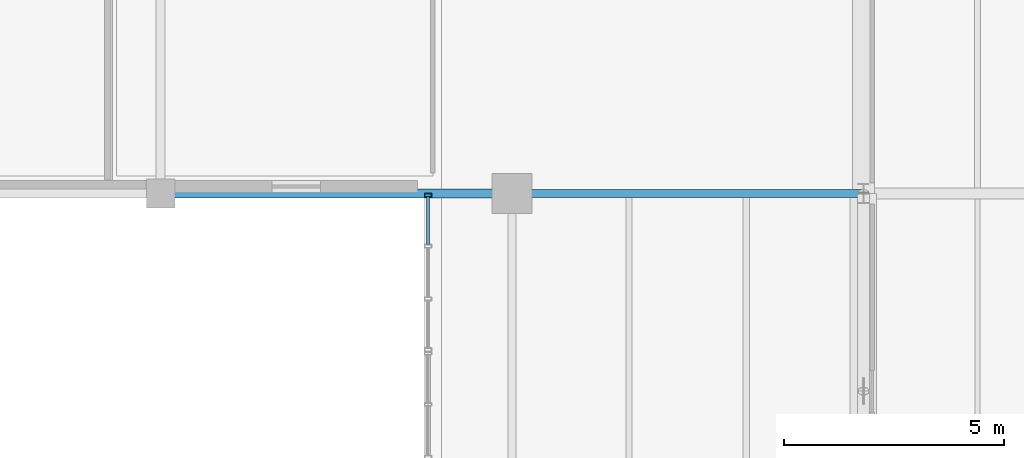
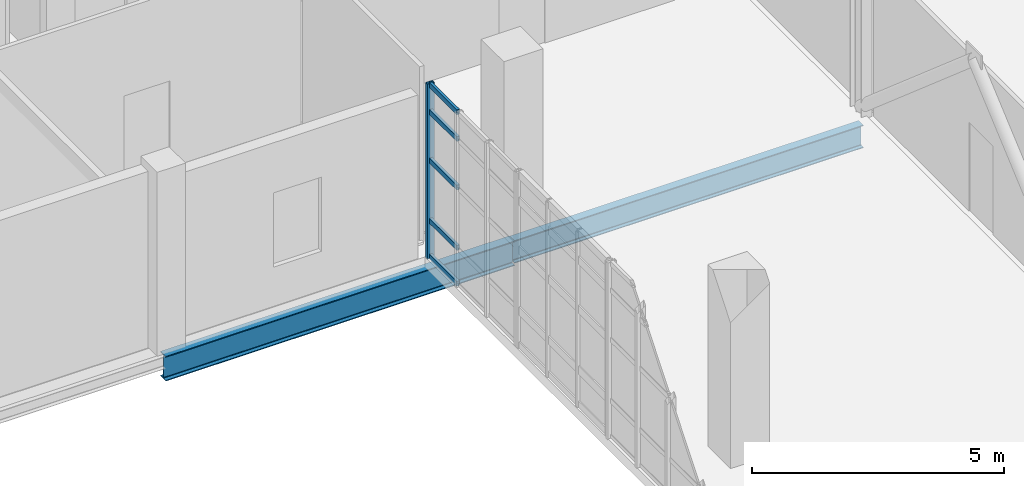
# One storey, part 12 of 38: 6 members, 2 beams, 1 element without a shape of its own.
"""IFC4 building model written with IfcOpenShell, lengths in metres."""

import ifcopenshell
import ifcopenshell.guid

model = None  # the IFC model being written
_history = None  # IfcOwnerHistory: only IFC2X3 demands one
_inside = {}  # id of a spatial element -> (the spatial element, [elements in it])
_under = {}  # id of a project, library or spatial element -> (it, [spatial elements below it])
_declared = {}  # id of a project -> (the project, [libraries it declares])
_typed = {}  # id of a type object -> (the type object, [elements of that type])
_made_of = {}  # id of a material, layer set ... -> (it, [elements and type objects made of it])


def new_model(schema):
    """Start an empty IFC model of exactly this schema.

    Asked for "IFC4X3", IfcOpenShell would pick the latest addendum, in which some entities
    have other attributes; the version numbers below select the first issue.
    IFC2X3 requires an IfcOwnerHistory on every rooted entity: one is made here for all.
    """
    global model, _history
    if schema == "IFC4X3":
        model = ifcopenshell.file(schema_version=(4, 3, 0, 0))
    else:
        model = ifcopenshell.file(schema=schema)
    _inside.clear()
    _under.clear()
    _declared.clear()
    _typed.clear()
    _made_of.clear()
    _history = None
    if model.schema == "IFC2X3":
        org = make("IfcOrganization", Name="unknown")
        user = make(
            "IfcPersonAndOrganization",
            ThePerson=make("IfcPerson", FamilyName="unknown"),
            TheOrganization=org,
        )
        app = make(
            "IfcApplication",
            ApplicationDeveloper=org,
            Version="unknown",
            ApplicationFullName="unknown",
            ApplicationIdentifier="unknown",
        )
        _history = make(
            "IfcOwnerHistory",
            OwningUser=user,
            OwningApplication=app,
            ChangeAction="ADDED",
            CreationDate=0,
        )
    return model


def make(cls, **values):
    """One entity of the class cls with the attributes given. An attribute that is None is left unset."""
    return model.create_entity(
        cls, **{name: value for name, value in values.items() if value is not None}
    )


def rooted(cls, **values):
    """An entity with a GlobalId (a new one), such as an element, a storey or a relation."""
    return make(cls, GlobalId=ifcopenshell.guid.new(), OwnerHistory=_history, **values)


def si_unit(unit_type, name, prefix=None):
    """IfcSIUnit, for example si_unit("LENGTHUNIT", "METRE", prefix="MILLI")."""
    return make("IfcSIUnit", UnitType=unit_type, Prefix=prefix, Name=name)


def derived_unit(unit_type, elements):
    """IfcDerivedUnit: a product of units, each with its exponent."""
    return make(
        "IfcDerivedUnit",
        Elements=[
            make("IfcDerivedUnitElement", Unit=unit, Exponent=power)
            for unit, power in elements
        ],
        UnitType=unit_type,
    )


def assignment(units):
    """IfcUnitAssignment: the units of a project."""
    return None if units is None else make("IfcUnitAssignment", Units=units)


def point(xyz):
    """IfcCartesianPoint."""
    return None if xyz is None else make("IfcCartesianPoint", Coordinates=xyz)


def direction(xyz):
    """IfcDirection."""
    return None if xyz is None else make("IfcDirection", DirectionRatios=xyz)


def frame(location, z_axis=None, x_axis=None):
    """IfcAxis2Placement3D, a coordinate frame: its origin and axes. An axis left out is left unset."""
    return make(
        "IfcAxis2Placement3D",
        Location=point(location),
        Axis=direction(z_axis),
        RefDirection=direction(x_axis),
    )


def frame_2d(location, x_axis=None):
    """IfcAxis2Placement2D, a coordinate frame in the plane: its origin and x axis."""
    return make(
        "IfcAxis2Placement2D", Location=point(location), RefDirection=direction(x_axis)
    )


def origin():
    """The frame at (0, 0, 0) with its axes left unset."""
    return frame((0.0, 0.0, 0.0))


def origin_2d():
    """The frame at (0, 0) in the plane with its x axis left unset."""
    return frame_2d((0.0, 0.0))


def place(relative_to, where):
    """IfcLocalPlacement: puts the frame where relative to a parent placement (None: the world)."""
    return make(
        "IfcLocalPlacement", PlacementRelTo=relative_to, RelativePlacement=where
    )


def context(
    kind, dimensions, precision=None, world=None, true_north=None, identifier=None
):
    """IfcGeometricRepresentationContext, for example the 3D "Model" context."""
    return make(
        "IfcGeometricRepresentationContext",
        ContextIdentifier=identifier,
        ContextType=kind,
        CoordinateSpaceDimension=dimensions,
        Precision=precision,
        WorldCoordinateSystem=world,
        TrueNorth=true_north,
    )


def subcontext(parent, identifier, kind, view, scale=None):
    """IfcGeometricRepresentationSubContext, for example "Body" below "Model"."""
    return make(
        "IfcGeometricRepresentationSubContext",
        ContextIdentifier=identifier,
        ContextType=kind,
        ParentContext=parent,
        TargetScale=scale,
        TargetView=view,
    )


def project(units=None, contexts=None):
    """IfcProject with its units and contexts."""
    return rooted(
        "IfcProject",
        Name="project",
        RepresentationContexts=contexts,
        UnitsInContext=assignment(units),
    )


def spatial(cls, under=None, at=None, **own):
    """A site, building, storey or space (cls), placed at a placement, below another one or the project."""
    s = rooted(cls, ObjectPlacement=at, **own)
    if under is not None:
        _under.setdefault(under.id(), (under, []))[1].append(s)
    return s


def profile(cls, at=None, kind="AREA", **sizes):
    """A parametric profile (cls). Its sizes go by their IFC names, for example OverallWidth=200.0."""
    return make(cls, ProfileType=kind, Position=at, **sizes)


def hollow_rectangle(**sizes):
    """IfcRectangleHollowProfileDef."""
    return profile("IfcRectangleHollowProfileDef", **sizes)


def i_section(**sizes):
    """IfcIShapeProfileDef."""
    return profile("IfcIShapeProfileDef", **sizes)


def extrude(swept, where, along, depth):
    """IfcExtrudedAreaSolid: the profile swept, set in the frame where, extruded along a direction by depth."""
    return make(
        "IfcExtrudedAreaSolid",
        SweptArea=swept,
        Position=where,
        ExtrudedDirection=direction(along),
        Depth=depth,
    )


def shape(context_of_items, identifier, shape_type, items):
    """IfcShapeRepresentation: the items that make up one representation, for example the "Body"."""
    return make(
        "IfcShapeRepresentation",
        ContextOfItems=context_of_items,
        RepresentationIdentifier=identifier,
        RepresentationType=shape_type,
        Items=items,
    )


def material(Name=None, Category=None):
    """IfcMaterial."""
    return make("IfcMaterial", Name=Name, Category=Category)


def layer(
    of_material, thickness, ventilated=None, Name=None, Category=None, Priority=None
):
    """IfcMaterialLayer: one layer of a wall or slab, of a material (None: an air gap)."""
    return make(
        "IfcMaterialLayer",
        Material=of_material,
        LayerThickness=thickness,
        IsVentilated=ventilated,
        Name=Name,
        Category=Category,
        Priority=Priority,
    )


def layer_set(layers, Name=None):
    """IfcMaterialLayerSet."""
    return make("IfcMaterialLayerSet", MaterialLayers=layers, LayerSetName=Name)


def material_profile(
    of_material, cross_section, Name=None, Category=None, Priority=None
):
    """IfcMaterialProfile: a cross section and its material."""
    return make(
        "IfcMaterialProfile",
        Name=Name,
        Material=of_material,
        Profile=cross_section,
        Priority=Priority,
        Category=Category,
    )


def profile_set(profiles, Name=None, composite=None):
    """IfcMaterialProfileSet."""
    return make(
        "IfcMaterialProfileSet",
        Name=Name,
        MaterialProfiles=profiles,
        CompositeProfile=composite,
    )


def made_of(thing, what):
    """Note that an element or type object is made of a material, layer set ...; save() writes the relation."""
    if what is not None:
        _made_of.setdefault(what.id(), (what, []))[1].append(thing)
    return thing


def type_object(cls, material=None, **own):
    """A type object (cls), such as IfcWallType, which elements share."""
    return made_of(rooted(cls, **own), material)


def element(
    cls,
    number,
    at=None,
    inside=None,
    cuts=None,
    type_object=None,
    material=None,
    context=None,
    identifier="Body",
    shape_type=None,
    held_by="IfcProductDefinitionShape",
    body=None,
    shapes=None,
    **own,
):
    """One element of the class cls, such as IfcWall. Its Tag is "e" and its number.

    at: its placement. inside: the storey or other place that contains it. cuts: it is an
    opening in that element (IfcRelVoidsElement). A single representation is given by context,
    identifier, shape_type and body (its items); several are given by shapes. held_by: the class
    of the entity that holds the representations. save() writes the other relations.
    """
    e = rooted(cls, Tag="e%d" % number, ObjectPlacement=at, **own)
    if body is not None:
        shapes = [shape(context, identifier, shape_type, body)]
    if shapes is not None:
        e.Representation = make(held_by, Representations=shapes)
    if inside is not None:
        _inside.setdefault(inside.id(), (inside, []))[1].append(e)
    if cuts is not None:
        rooted(
            "IfcRelVoidsElement", RelatingBuildingElement=cuts, RelatedOpeningElement=e
        )
    if type_object is not None:
        _typed.setdefault(type_object.id(), (type_object, []))[1].append(e)
    return made_of(e, material)


def aggregate(whole, parts):
    """IfcRelAggregates: a whole, such as a stair, and the parts it consists of."""
    return rooted("IfcRelAggregates", RelatingObject=whole, RelatedObjects=parts)


def save(model, path):
    """Write the relations noted so far, then the file.

    IfcRelAggregates (storeys below a building ...), IfcRelContainedInSpatialStructure (elements
    in a storey), IfcRelDefinesByType, IfcRelAssociatesMaterial and IfcRelDeclares: one each for
    every whole, place, type object, material and project.
    """
    for whole, parts in _under.values():
        aggregate(whole, parts)
    for where, things in _inside.values():
        rooted(
            "IfcRelContainedInSpatialStructure",
            RelatedElements=things,
            RelatingStructure=where,
        )
    for kind, things in _typed.values():
        rooted("IfcRelDefinesByType", RelatedObjects=things, RelatingType=kind)
    for what, things in _made_of.values():
        rooted("IfcRelAssociatesMaterial", RelatedObjects=things, RelatingMaterial=what)
    for by, libraries in _declared.values():
        rooted("IfcRelDeclares", RelatingContext=by, RelatedDefinitions=libraries)
    model.write(path)


model = new_model("IFC4")

# Units and contexts
model_context = context("Model", 3, precision=1e-05, world=origin(), true_north=direction((0.0, 1.0)))
body_context = subcontext(model_context, "Body", "Model", "MODEL_VIEW")
ifc_project = project(units=[si_unit("LENGTHUNIT", "METRE"), si_unit("AREAUNIT", "SQUARE_METRE"), si_unit("VOLUMEUNIT", "CUBIC_METRE"), si_unit("PLANEANGLEUNIT", "RADIAN"), si_unit("MASSUNIT", "GRAM", prefix="KILO"), derived_unit("THERMALTRANSMITTANCEUNIT", [(si_unit("POWERUNIT", "WATT"), 1), (si_unit("LENGTHUNIT", "METRE"), -2), (si_unit("THERMODYNAMICTEMPERATUREUNIT", "KELVIN"), -1)])], contexts=[model_context])

# Site, building, storey
site_placement = place(None, origin())
site = spatial("IfcSite", under=ifc_project, at=site_placement, CompositionType="ELEMENT")
building_placement = place(site_placement, origin())
building = spatial("IfcBuilding", under=site, at=building_placement, Name="Nallur Shell Playhouse", CompositionType="ELEMENT")
storey_placement = place(building_placement, frame((0.0, 0.0, 24.300048828125)))
storey = spatial("IfcBuildingStorey", under=building, at=storey_placement, Name="L06", CompositionType="ELEMENT", Elevation=24.300048828125)

# Beams
ifc_material_1 = material(Name="Steel E350", Category="steel")
ifc_material_profile_1 = material_profile(ifc_material_1, i_section(OverallWidth=0.18994140625, OverallDepth=0.550048828125, WebThickness=0.01123046875, FlangeThickness=0.019287109375, FilletRadius=0.01806640625, at=origin_2d()), Name="ISMB 550")
ifc_profile_set_1 = profile_set([ifc_material_profile_1], Name="Steel E350")
beam_type_1 = type_object("IfcBeamType", Name="BM-ST-ISMB550", PredefinedType="BEAM", material=ifc_profile_set_1)
beam_1_placement = place(storey_placement, frame((56.0, 65.0, -0.525146484375), z_axis=(1.0, 0.0, 0.0), x_axis=(0.0, 1.0, 0.0)))
element("IfcBeam", 1, at=beam_1_placement, inside=storey, type_object=beam_type_1, Name="L06 girder X-H-1145", PredefinedType="BEAM", context=body_context, shape_type="SweptSolid", body=[
    extrude(i_section(OverallWidth=0.18994140625, OverallDepth=0.550048828125, WebThickness=0.01123046875, FlangeThickness=0.019287109375, FilletRadius=0.01806640625, at=origin_2d()), origin(), (0.0, 0.0, 1.0), 8.0),
])
ifc_material_profile_2 = material_profile(ifc_material_1, i_section(OverallWidth=0.2099609375, OverallDepth=0.60009765625, WebThickness=0.011962890625, FlangeThickness=0.020751953125, FilletRadius=0.02001953125, at=origin_2d()), Name="ISMB 600")
ifc_profile_set_2 = profile_set([ifc_material_profile_2], Name="Steel E350")
beam_type_2 = type_object("IfcBeamType", Name="BM-ST-ISMB600", PredefinedType="BEAM", material=ifc_profile_set_2)
beam_2_placement = place(storey_placement, frame((48.0, 65.0, -0.550048828125), z_axis=(1.0, 0.0, 0.0), x_axis=(0.0, 1.0, 0.0)))
element("IfcBeam", 2, at=beam_2_placement, inside=storey, type_object=beam_type_2, Name="L06 girder X-H-1144", PredefinedType="BEAM", context=body_context, shape_type="SweptSolid", body=[
    extrude(i_section(OverallWidth=0.2099609375, OverallDepth=0.60009765625, WebThickness=0.011962890625, FlangeThickness=0.020751953125, FilletRadius=0.02001953125, at=origin_2d()), origin(), (0.0, 0.0, 1.0), 8.0),
])

# Curtain wall, members
ifc_material_2 = material(Name="Anodised Aluminium Double-Glazed Facade System", Category="aluminium")
ifc_layer = layer(ifc_material_2, 0.1640625)
ifc_layer_set = layer_set([ifc_layer], Name="Anodised Aluminium Double-Glazed Facade System")
curtain_wall_type = type_object("IfcCurtainWallType", Name="CW-UNIT-31", PredefinedType="NOTDEFINED", material=ifc_layer_set)
curtain_wall_placement = place(storey_placement, origin())
curtain_wall = element("IfcCurtainWall", 3, at=curtain_wall_placement, inside=storey, type_object=curtain_wall_type, Name="Unitised curtain wall CW-191 (L06)", PredefinedType="NOTDEFINED")
ifc_material_3 = material(Name="Aluminium Alloy 6063-T6 Mullion", Category="aluminium")
ifc_material_profile_3 = material_profile(ifc_material_3, hollow_rectangle(XDim=0.080078125, YDim=0.159912109375, WallThickness=0.006103515625, at=origin_2d()), Name="RHS 160x80x6")
ifc_profile_set_3 = profile_set([ifc_material_profile_3], Name="Aluminium Alloy 6063-T6 Mullion")
member_type_1 = type_object("IfcMemberType", Name="MB-CW-MUL150", PredefinedType="MULLION", material=ifc_profile_set_3)
member_1_placement = place(storey_placement, frame((54.090087890625, 64.9599609375, -0.01513671875), z_axis=(0.0, 0.0, 1.0), x_axis=(0.0, 1.0, 0.0)))
member_1 = element("IfcMember", 4, at=member_1_placement, type_object=member_type_1, Name="CW-31 mullion 4", PredefinedType="MULLION", context=body_context, shape_type="SweptSolid", body=[
    extrude(hollow_rectangle(XDim=0.080078125, YDim=0.159912109375, WallThickness=0.006103515625, at=origin_2d()), origin(), (0.0, 0.0, 1.0), 4.239013671875),
])
ifc_material_4 = material(Name="Aluminium Alloy 6063-T6 Transom", Category="aluminium")
ifc_material_profile_4 = material_profile(ifc_material_4, hollow_rectangle(XDim=0.06494140625, YDim=0.1201171875, WallThickness=0.00390625, at=origin_2d()), Name="ALU 65x120x4")
ifc_profile_set_4 = profile_set([ifc_material_profile_4], Name="Aluminium Alloy 6063-T6 Transom")
member_type_2 = type_object("IfcMemberType", Name="MB-CW-TRN120", PredefinedType="USERDEFINED", material=ifc_profile_set_4)
member_2_placement = place(storey_placement, frame((54.090087890625, 63.833740234375, 0.032470703125), z_axis=(0.0, 1.0, 0.0), x_axis=(-1.0, 0.0, 0.0)))
member_2 = element("IfcMember", 5, at=member_2_placement, type_object=member_type_2, Name="CW-31 transom 3.1", ObjectType="TRANSOM", PredefinedType="USERDEFINED", context=body_context, shape_type="SweptSolid", body=[
    extrude(hollow_rectangle(XDim=0.06494140625, YDim=0.1201171875, WallThickness=0.00390625, at=origin_2d()), origin(), (0.0, 0.0, 1.0), 1.09423828125),
])
member_3_placement = place(storey_placement, frame((54.090087890625, 63.833740234375, 0.89990234375), z_axis=(0.0, 1.0, 0.0), x_axis=(-1.0, 0.0, 0.0)))
member_3 = element("IfcMember", 6, at=member_3_placement, type_object=member_type_2, Name="CW-31 transom 3.2", ObjectType="TRANSOM", PredefinedType="USERDEFINED", context=body_context, shape_type="SweptSolid", body=[
    extrude(hollow_rectangle(XDim=0.06494140625, YDim=0.1201171875, WallThickness=0.00390625, at=origin_2d()), origin(), (0.0, 0.0, 1.0), 1.09423828125),
])
member_4_placement = place(storey_placement, frame((54.090087890625, 63.833740234375, 2.363037109375), z_axis=(0.0, 1.0, 0.0), x_axis=(-1.0, 0.0, 0.0)))
member_4 = element("IfcMember", 7, at=member_4_placement, type_object=member_type_2, Name="CW-31 transom 3.3", ObjectType="TRANSOM", PredefinedType="USERDEFINED", context=body_context, shape_type="SweptSolid", body=[
    extrude(hollow_rectangle(XDim=0.06494140625, YDim=0.1201171875, WallThickness=0.00390625, at=origin_2d()), origin(), (0.0, 0.0, 1.0), 1.09423828125),
])
member_5_placement = place(storey_placement, frame((54.090087890625, 63.833740234375, 3.5400390625), z_axis=(0.0, 1.0, 0.0), x_axis=(-1.0, 0.0, 0.0)))
member_5 = element("IfcMember", 8, at=member_5_placement, type_object=member_type_2, Name="CW-31 transom 3.4", ObjectType="TRANSOM", PredefinedType="USERDEFINED", context=body_context, shape_type="SweptSolid", body=[
    extrude(hollow_rectangle(XDim=0.06494140625, YDim=0.1201171875, WallThickness=0.00390625, at=origin_2d()), origin(), (0.0, 0.0, 1.0), 1.09423828125),
])
member_6_placement = place(storey_placement, frame((54.090087890625, 63.833740234375, 4.1875), z_axis=(0.0, 1.0, 0.0), x_axis=(-1.0, 0.0, 0.0)))
member_6 = element("IfcMember", 9, at=member_6_placement, type_object=member_type_2, Name="CW-31 transom 3.5", ObjectType="TRANSOM", PredefinedType="USERDEFINED", context=body_context, shape_type="SweptSolid", body=[
    extrude(hollow_rectangle(XDim=0.06494140625, YDim=0.1201171875, WallThickness=0.00390625, at=origin_2d()), origin(), (0.0, 0.0, 1.0), 1.09423828125),
])
aggregate(curtain_wall, [member_1, member_2, member_3, member_4, member_5, member_6])

save(model, "model.ifc")
